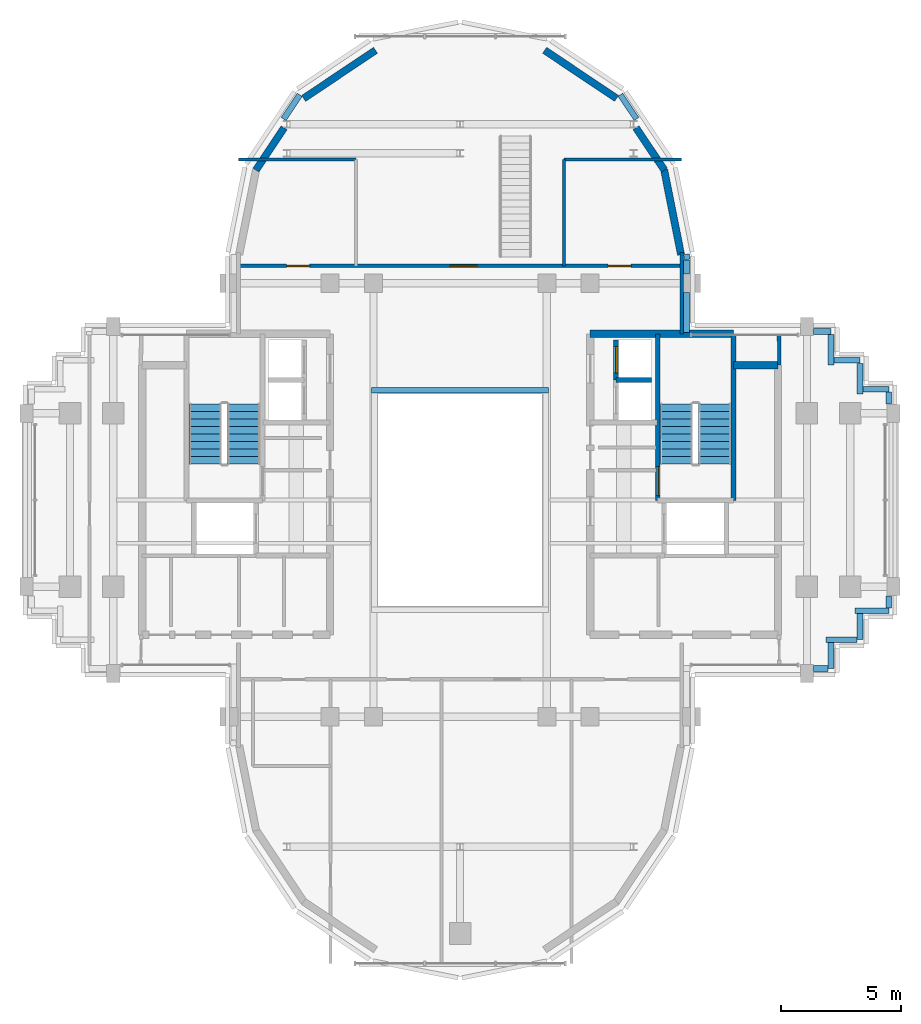
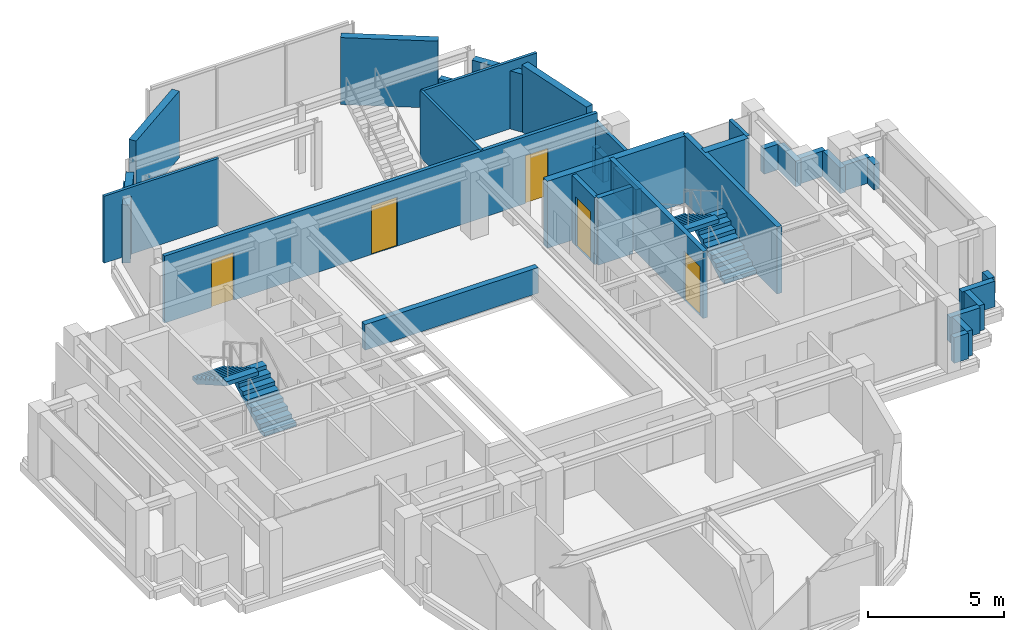
# One storey, part 10 of 13: 35 walls, 5 doors, 4 stair flights, 5 openings, 2 elements without a shape of their own.
"""IFC4 building model written with IfcOpenShell, lengths in metres."""

from ifc_helpers import new_model, si_unit, direction, frame, frame_2d, origin, place, context, subcontext, project, spatial, polyline, rectangle, outline, extrude, source, transform, mapped, material, layer, layer_set, type_object, element, fill, aggregate, save


model = new_model("IFC4")

# Units and contexts
model_context = context("Model", 3, precision=1e-05, world=origin(), true_north=direction((0.0, 1.0)))
body_context = subcontext(model_context, "Body", "Model", "MODEL_VIEW")
ifc_project = project(units=[si_unit("LENGTHUNIT", "METRE"), si_unit("AREAUNIT", "SQUARE_METRE"), si_unit("VOLUMEUNIT", "CUBIC_METRE"), si_unit("PLANEANGLEUNIT", "RADIAN"), si_unit("MASSUNIT", "GRAM", prefix="KILO")], contexts=[model_context])

# Site, building, storey
site_placement = place(None, origin())
site = spatial("IfcSite", under=ifc_project, at=site_placement, CompositionType="ELEMENT")
building_placement = place(site_placement, origin())
building = spatial("IfcBuilding", under=site, at=building_placement, Name="Keilestroom Media Tower", CompositionType="ELEMENT")
storey_placement = place(building_placement, frame((0.0, 0.0, 230.0)))
storey = spatial("IfcBuildingStorey", under=building, at=storey_placement, Name="L63", CompositionType="ELEMENT", Elevation=230.0)

# Walls
ifc_material_1 = material(Name="Precast concrete C40/50", Category="concrete")
ifc_layer_1 = layer(ifc_material_1, 0.300048828125)
ifc_layer_set_1 = layer_set([ifc_layer_1], Name="Precast concrete C40/50")
wall_type_1 = type_object("IfcWallType", Name="Exterior-Masonry-Spandrel-Wall-300", PredefinedType="SOLIDWALL", material=ifc_layer_set_1)
wall_1_placement = place(storey_placement, frame((9.1748046875, 10.185302734375, 0.0), z_axis=(0.0, 0.0, 1.0), x_axis=(-0.195114232679, 0.980780523974, 0.0)))
element("IfcWall", 1, at=wall_1_placement, inside=storey, type_object=wall_type_1, Name="L63 Lobe Facet Precast Frame Wall 01", PredefinedType="SOLIDWALL", context=body_context, shape_type="SweptSolid", body=[
    extrude(rectangle(XDim=3.608642578125, YDim=0.300048828125, at=frame_2d((1.80419921875, 0.0))), origin(), (0.0, 0.0, 1.0), 3.010009765625),
])
wall_2_placement = place(storey_placement, frame((8.48193359375, 13.697509765625, 0.0), z_axis=(0.0, 0.0, 1.0), x_axis=(-0.555604299396, 0.831446848868, 0.0)))
element("IfcWall", 2, at=wall_2_placement, inside=storey, type_object=wall_type_1, Name="L63 Lobe Facet Precast Frame Wall 02", PredefinedType="SOLIDWALL", context=body_context, shape_type="SweptSolid", body=[
    extrude(rectangle(XDim=2.117919921875, YDim=0.300048828125, at=frame_2d((1.05908203125, 0.0))), origin(), (0.0, 0.0, 1.0), 2.610107421875),
])
for number, where, z_axis, x_axis, name in (
    (3, (6.497802734375, 16.677001953125, 0.0), (0.0, 0.0, 1.0), (-0.831443568068, 0.555609208993, 0.0), "L63 Lobe Facet Precast Frame Wall 03"),
    (4, (-3.510009765625, 18.673583984375, 0.0), (0.0, 0.0, 1.0), (-0.831443568068, -0.555609208993, 0.0), "L63 Lobe Facet Precast Frame Wall 04"),
):
    element("IfcWall", number, at=place(storey_placement, frame(where, z_axis=z_axis, x_axis=x_axis)), inside=storey, type_object=wall_type_1, Name=name, PredefinedType="SOLIDWALL", context=body_context, shape_type="SweptSolid", body=[
        extrude(rectangle(XDim=3.593505859375, YDim=0.300048828125, at=frame_2d((1.796875, 0.0))), origin(), (0.0, 0.0, 1.0), 3.010009765625),
    ])
wall_3_placement = place(storey_placement, frame((-7.30517578125, 15.45849609375, 0.0), z_axis=(0.0, 0.0, 1.0), x_axis=(-0.555604299396, -0.831446848868, 0.0)))
element("IfcWall", 5, at=wall_3_placement, inside=storey, type_object=wall_type_1, Name="L63 Lobe Facet Precast Frame Wall 05", PredefinedType="SOLIDWALL", context=body_context, shape_type="SweptSolid", body=[
    extrude(rectangle(XDim=2.117919921875, YDim=0.300048828125, at=frame_2d((1.05908203125, 0.0))), origin(), (0.0, 0.0, 1.0), 2.610107421875),
])
ifc_material_2 = material(Name="Gypsum Plasterboard & Steel Stud", Category="steel")
ifc_layer_2 = layer(ifc_material_2, 0.1201171875)
ifc_layer_set_2 = layer_set([ifc_layer_2], Name="Gypsum Plasterboard & Steel Stud")
wall_type_2 = type_object("IfcWallType", Name="Interior-Partition-Wall-120", PredefinedType="PARTITIONING", material=ifc_layer_set_2)
for number, where, z_axis, x_axis, name in (
    (6, (-9.199951171875, 14.139892578125, 0.0), (0.0, 0.0, 1.0), (1.0, 0.0, 0.0), "L63 Interior Wall WP-L63-NL-HW"),
    (7, (4.320068359375, 14.139892578125, 0.0), (0.0, 0.0, 1.0), (1.0, 0.0, 0.0), "L63 Interior Wall WP-L63-NL-HE"),
):
    element("IfcWall", number, at=place(storey_placement, frame(where, z_axis=z_axis, x_axis=x_axis)), inside=storey, type_object=wall_type_2, Name=name, PredefinedType="PARTITIONING", context=body_context, shape_type="SweptSolid", body=[
        extrude(rectangle(XDim=4.8798828125, YDim=0.1201171875, at=frame_2d((2.43994140625, 0.0))), origin(), (0.0, 0.0, 1.0), 3.010009765625),
    ])
wall_4_placement = place(storey_placement, frame((4.320068359375, 9.719970703125, 0.0), z_axis=(0.0, 0.0, 1.0), x_axis=(0.0, 1.0, 0.0)))
element("IfcWall", 8, at=wall_4_placement, inside=storey, type_object=wall_type_2, Name="L63 Interior Wall WP-L63-NL-VE2", PredefinedType="PARTITIONING", context=body_context, shape_type="SweptSolid", body=[
    extrude(rectangle(XDim=4.419921875, YDim=0.1201171875, at=frame_2d((2.2099609375, 0.0))), origin(), (0.0, 0.0, 1.0), 3.010009765625),
])

# Wall, openings, doors
ifc_layer_3 = layer(ifc_material_2, 0.14990234375)
ifc_layer_set_3 = layer_set([ifc_layer_3], Name="Gypsum Plasterboard & Steel Stud")
wall_type_3 = type_object("IfcWallType", Name="Interior-Partition-Wall-150", PredefinedType="PARTITIONING", material=ifc_layer_set_3)
wall_5_placement = place(storey_placement, frame((-9.199951171875, 9.719970703125, 0.0), z_axis=(0.0, 0.0, 1.0), x_axis=(1.0, 0.0, 0.0)))
wall_5 = element("IfcWall", 9, at=wall_5_placement, inside=storey, type_object=wall_type_3, Name="L63 Interior Wall WP-L63-NL-BASE", PredefinedType="PARTITIONING", context=body_context, shape_type="SweptSolid", body=[
    extrude(rectangle(XDim=18.39990234375, YDim=0.14990234375, at=frame_2d((9.199951171875, 0.0))), origin(), (0.0, 0.0, 1.0), 3.010009765625),
])
opening_1_placement = place(wall_5_placement, frame((2.0, 0.0, 0.0)))
opening_1 = element("IfcOpeningElement", 10, at=opening_1_placement, cuts=wall_5, Name="Opening DI-03", PredefinedType="OPENING", context=body_context, shape_type="SweptSolid", body=[
    extrude(rectangle(XDim=0.949951171875, YDim=2.14990234375, at=frame_2d((0.47509765625, 1.074951171875))), frame((0.0, 0.0849609375, 0.0), z_axis=(0.0, -1.0, 0.0), x_axis=(1.0, 0.0, 0.0)), (0.0, 0.0, 1.0), 0.169921875),
])
opening_2_placement = place(wall_5_placement, frame((15.35009765625, 0.0, 0.0)))
opening_2 = element("IfcOpeningElement", 11, at=opening_2_placement, cuts=wall_5, Name="Opening DI-03", PredefinedType="OPENING", context=body_context, shape_type="SweptSolid", body=[
    extrude(rectangle(XDim=0.949951171875, YDim=2.14990234375, at=frame_2d((0.47509765625, 1.074951171875))), frame((0.0, 0.0849609375, 0.0), z_axis=(0.0, -1.0, 0.0), x_axis=(1.0, 0.0, 0.0)), (0.0, 0.0, 1.0), 0.169921875),
])
opening_3_placement = place(wall_5_placement, frame((8.800048828125, 0.0, 0.0)))
opening_3 = element("IfcOpeningElement", 12, at=opening_3_placement, cuts=wall_5, Name="Opening DI-04", PredefinedType="OPENING", context=body_context, shape_type="SweptSolid", body=[
    extrude(rectangle(XDim=1.10009765625, YDim=2.199951171875, at=frame_2d((0.550048828125, 1.10009765625))), frame((0.0, 0.0849609375, 0.0), z_axis=(0.0, -1.0, 0.0), x_axis=(1.0, 0.0, 0.0)), (0.0, 0.0, 1.0), 0.169921875),
])
ifc_material_3 = material(Name="Lacquered European Oak Leaf", Category="wood")
door_type_1 = type_object("IfcDoorType", Name="Interior-Room-And-Suite-Door-DI-03", OperationType="NOTDEFINED", PredefinedType="DOOR", material=ifc_material_3)
shared_shape_1 = source(origin(), body_context, "Body", "SweptSolid", [
    extrude(rectangle(XDim=0.949951171875, YDim=2.14990234375, at=frame_2d((0.47509765625, 1.074951171875))), frame((0.0, 0.02490234375, 0.0), z_axis=(0.0, -1.0, 0.0), x_axis=(1.0, 0.0, 0.0)), (0.0, 0.0, 1.0), 0.050048828125),
])
door_1_placement = place(opening_1_placement, origin())
door_1 = element("IfcDoor", 13, at=door_1_placement, inside=storey, type_object=door_type_1, Name="L63 Interior Door DI-L63-DNL-FRW", OperationType="SINGLE_SWING_RIGHT", OverallHeight=2.14990234375, OverallWidth=0.949951171875, PredefinedType="DOOR", context=body_context, shape_type="MappedRepresentation", body=[
    mapped(shared_shape_1, transform((0.0, 0.0, 0.0), x_axis=(1.0, 0.0, 0.0), y_axis=(0.0, 1.0, 0.0), z_axis=(0.0, 0.0, 1.0), scale=1.0)),
])
fill(opening_1, door_1)
door_2_placement = place(opening_2_placement, origin())
door_2 = element("IfcDoor", 14, at=door_2_placement, inside=storey, type_object=door_type_1, Name="L63 Interior Door DI-L63-DNL-FRE", OperationType="SINGLE_SWING_LEFT", OverallHeight=2.14990234375, OverallWidth=0.949951171875, PredefinedType="DOOR", context=body_context, shape_type="MappedRepresentation", body=[
    mapped(shared_shape_1, transform((0.0, 0.0, 0.0), x_axis=(1.0, 0.0, 0.0), y_axis=(0.0, 1.0, 0.0), z_axis=(0.0, 0.0, 1.0), scale=1.0)),
])
fill(opening_2, door_2)
ifc_material_4 = material(Name="Acoustic Glazed Aluminium Leaf", Category="aluminium")
door_type_2 = type_object("IfcDoorType", Name="Interior-Room-And-Suite-Door-DI-04", OperationType="NOTDEFINED", PredefinedType="DOOR", material=ifc_material_4)
shared_shape_2 = source(origin(), body_context, "Body", "SweptSolid", [
    extrude(rectangle(XDim=1.10009765625, YDim=2.199951171875, at=frame_2d((0.550048828125, 1.10009765625))), frame((0.0, 0.02490234375, 0.0), z_axis=(0.0, -1.0, 0.0), x_axis=(1.0, 0.0, 0.0)), (0.0, 0.0, 1.0), 0.050048828125),
])
door_3_placement = place(opening_3_placement, origin())
door_3 = element("IfcDoor", 15, at=door_3_placement, inside=storey, type_object=door_type_2, Name="L63 Interior Door DI-L63-DNL-REAR", OperationType="SINGLE_SWING_RIGHT", OverallHeight=2.199951171875, OverallWidth=1.10009765625, PredefinedType="DOOR", context=body_context, shape_type="MappedRepresentation", body=[
    mapped(shared_shape_2, transform((0.0, 0.0, 0.0), x_axis=(1.0, 0.0, 0.0), y_axis=(0.0, 1.0, 0.0), z_axis=(0.0, 0.0, 1.0), scale=1.0)),
])
fill(opening_3, door_3)

# Walls
wall_6_placement = place(storey_placement, frame((9.199951171875, 6.89990234375, 0.0), z_axis=(0.0, 0.0, 1.0), x_axis=(0.0, 1.0, 0.0)))
element("IfcWall", 16, at=wall_6_placement, inside=storey, type_object=wall_type_3, Name="L63 Interior Wall WP-L63-NL-CHKE", PredefinedType="PARTITIONING", context=body_context, shape_type="SweptSolid", body=[
    extrude(rectangle(XDim=3.380126953125, YDim=0.14990234375, at=frame_2d((1.68994140625, 0.0))), origin(), (0.0, 0.0, 1.0), 2.610107421875),
])
wall_7_placement = place(storey_placement, frame((13.260009765625, 5.60009765625, 0.0), z_axis=(0.0, 0.0, 1.0), x_axis=(-0.016013571389, 0.999871774545, 0.0)))
element("IfcWall", 17, at=wall_7_placement, inside=storey, type_object=wall_type_3, Name="L63 Interior Wall WP-L63-EA-ENTN", PredefinedType="PARTITIONING", context=body_context, shape_type="SweptSolid", body=[
    extrude(rectangle(XDim=1.250244140625, YDim=0.14990234375, at=frame_2d((0.625, 0.0))), origin(), (0.0, 0.0, 1.0), 3.010009765625),
])
ifc_material_5 = material(Name="Concrete C50/60", Category="concrete")
ifc_layer_4 = layer(ifc_material_5, 0.300048828125)
ifc_layer_set_4 = layer_set([ifc_layer_4], Name="Concrete C50/60")
wall_type_4 = type_object("IfcWallType", Name="Reinforced-Concrete-Core-Shear-Wall-300", PredefinedType="SHEAR", material=ifc_layer_set_4)
wall_8_placement = place(storey_placement, frame((5.39990234375, 6.89990234375, 0.0), z_axis=(0.0, 0.0, 1.0), x_axis=(1.0, 0.0, 0.0)))
element("IfcWall", 18, at=wall_8_placement, inside=storey, type_object=wall_type_4, Name="L63 Core Shear Wall WL-L63-CORE-E-N", PredefinedType="SHEAR", context=body_context, shape_type="SweptSolid", body=[
    extrude(rectangle(XDim=5.9560546875, YDim=0.300048828125, at=frame_2d((2.97802734375, 0.0))), origin(), (0.0, 0.0, 1.0), 3.010009765625),
])
wall_9_placement = place(storey_placement, frame((11.35595703125, 5.60009765625, 0.0), z_axis=(0.0, 0.0, 1.0), x_axis=(1.0, 0.0, 0.0)))
element("IfcWall", 19, at=wall_9_placement, inside=storey, type_object=wall_type_4, Name="L63 Core Shear Wall WL-L63-CNE-N", PredefinedType="SHEAR", context=body_context, shape_type="SweptSolid", body=[
    extrude(rectangle(XDim=1.843994140625, YDim=0.300048828125, at=frame_2d((0.921875, 0.0))), origin(), (0.0, 0.0, 1.0), 3.010009765625),
])

# Wall, opening, door
ifc_layer_5 = layer(ifc_material_5, 0.199951171875)
ifc_layer_set_5 = layer_set([ifc_layer_5], Name="Concrete C50/60")
wall_type_5 = type_object("IfcWallType", Name="Reinforced-Concrete-Shaft-Wall-200", PredefinedType="SOLIDWALL", material=ifc_layer_set_5)
wall_10_placement = place(storey_placement, frame((8.2041015625, -0.01611328125, 0.0), z_axis=(0.0, 0.0, 1.0), x_axis=(0.0, 1.0, 0.0)))
wall_10 = element("IfcWall", 20, at=wall_10_placement, inside=storey, type_object=wall_type_5, Name="L63 Core Shear Wall WL-L63-STW-E-NEAR", PredefinedType="SOLIDWALL", context=body_context, shape_type="SweptSolid", body=[
    extrude(rectangle(XDim=6.916015625, YDim=0.199951171875, at=frame_2d((3.4580078125, 0.0))), origin(), (0.0, 0.0, 1.0), 3.010009765625),
])
opening_4_placement = place(wall_10_placement, frame((0.199951171875, 0.0, 0.0)))
opening_4 = element("IfcOpeningElement", 21, at=opening_4_placement, cuts=wall_10, Name="Opening DI-01S", PredefinedType="OPENING", context=body_context, shape_type="SweptSolid", body=[
    extrude(rectangle(XDim=1.199951171875, YDim=2.199951171875, at=frame_2d((0.60009765625, 1.10009765625))), frame((0.0, 0.10986328125, 0.0), z_axis=(0.0, -1.0, 0.0), x_axis=(1.0, 0.0, 0.0)), (0.0, 0.0, 1.0), 0.219970703125),
])
ifc_material_6 = material(Name="Powder-Coated Steel Fire Leaf", Category="steel")
door_type_3 = type_object("IfcDoorType", Name="Interior-Stair-And-Core-Fire-Door-DI-01", OperationType="NOTDEFINED", PredefinedType="DOOR", material=ifc_material_6)
shared_shape_3 = source(origin(), body_context, "Body", "SweptSolid", [
    extrude(rectangle(XDim=1.199951171875, YDim=2.199951171875, at=frame_2d((0.60009765625, 1.10009765625))), frame((0.0, 0.02490234375, 0.0), z_axis=(0.0, -1.0, 0.0), x_axis=(1.0, 0.0, 0.0)), (0.0, 0.0, 1.0), 0.050048828125),
])
door_4_placement = place(opening_4_placement, origin())
door_4 = element("IfcDoor", 22, at=door_4_placement, inside=storey, type_object=door_type_3, Name="L63 Escape Stair ST-2 Fire Door", OperationType="SINGLE_SWING_RIGHT", OverallHeight=2.199951171875, OverallWidth=1.199951171875, PredefinedType="DOOR", context=body_context, shape_type="MappedRepresentation", body=[
    mapped(shared_shape_3, transform((0.0, 0.0, 0.0), x_axis=(1.0, 0.0, 0.0), y_axis=(0.0, 1.0, 0.0), z_axis=(0.0, 0.0, 1.0), scale=1.0)),
])
fill(opening_4, door_4)

# Walls
wall_11_placement = place(storey_placement, frame((11.35595703125, -0.01611328125, 0.0), z_axis=(0.0, 0.0, 1.0), x_axis=(0.0, 1.0, 0.0)))
element("IfcWall", 23, at=wall_11_placement, inside=storey, type_object=wall_type_5, Name="L63 Core Shear Wall WL-L63-STW-E-FAR", PredefinedType="SOLIDWALL", context=body_context, shape_type="SweptSolid", body=[
    extrude(rectangle(XDim=6.916015625, YDim=0.199951171875, at=frame_2d((3.4580078125, 0.0))), origin(), (0.0, 0.0, 1.0), 3.010009765625),
])
wall_12_placement = place(storey_placement, frame((6.47998046875, 4.97998046875, 0.0), z_axis=(0.0, 0.0, 1.0), x_axis=(1.0, 0.0, 0.0)))
element("IfcWall", 24, at=wall_12_placement, inside=storey, type_object=wall_type_5, Name="L63 Core Shear Wall WL-L63-LSH-PL-H3-N", PredefinedType="SOLIDWALL", context=body_context, shape_type="SweptSolid", body=[
    extrude(rectangle(XDim=1.469970703125, YDim=0.199951171875, at=frame_2d((0.73486328125, 0.0))), origin(), (0.0, 0.0, 1.0), 3.010009765625),
])

# Wall, opening, door
wall_13_placement = place(storey_placement, frame((6.47998046875, 4.97998046875, 0.0), z_axis=(0.0, 0.0, 1.0), x_axis=(0.0, 1.0, 0.0)))
wall_13 = element("IfcWall", 25, at=wall_13_placement, inside=storey, type_object=wall_type_5, Name="L63 Core Shear Wall WL-L63-LSH-PL-H4-W", PredefinedType="SOLIDWALL", context=body_context, shape_type="SweptSolid", body=[
    extrude(rectangle(XDim=1.669921875, YDim=0.199951171875, at=frame_2d((0.8349609375, 0.0))), origin(), (0.0, 0.0, 1.0), 3.010009765625),
])
opening_5_placement = place(wall_13_placement, frame((0.284912109375, 0.0, 0.0)))
opening_5 = element("IfcOpeningElement", 26, at=opening_5_placement, cuts=wall_13, Name="Opening LD-01", PredefinedType="OPENING", context=body_context, shape_type="SweptSolid", body=[
    extrude(rectangle(XDim=1.10009765625, YDim=2.199951171875, at=frame_2d((0.550048828125, 1.10009765625))), frame((0.0, 0.10986328125, 0.0), z_axis=(0.0, -1.0, 0.0), x_axis=(1.0, 0.0, 0.0)), (0.0, 0.0, 1.0), 0.219970703125),
])
ifc_material_7 = material(Name="Brushed Stainless Steel Sliding Leaf", Category="steel")
door_type_4 = type_object("IfcDoorType", Name="Lift-Landing-Sliding-Door-LD-01", OperationType="SLIDING_TO_LEFT", PredefinedType="DOOR", material=ifc_material_7)
door_5_placement = place(opening_5_placement, origin())
door_5 = element("IfcDoor", 27, at=door_5_placement, inside=storey, type_object=door_type_4, Name="L63 Lift PL-H4 Landing Sliding Door", OperationType="SLIDING_TO_LEFT", OverallHeight=2.199951171875, OverallWidth=1.10009765625, PredefinedType="DOOR", context=body_context, shape_type="MappedRepresentation", body=[
    mapped(shared_shape_2, transform((0.0, 0.0, 0.0), x_axis=(1.0, 0.0, 0.0), y_axis=(0.0, 1.0, 0.0), z_axis=(0.0, 0.0, 1.0), scale=1.0)),
])
fill(opening_5, door_5)

# Walls
ifc_layer_6 = layer(ifc_material_1, 0.239990234375)
ifc_layer_set_6 = layer_set([ifc_layer_6], Name="Precast concrete C40/50")
wall_type_6 = type_object("IfcWallType", Name="Roof-And-Terrace-Parapet-Wall-240", PredefinedType="PARAPET", material=ifc_layer_set_6)
wall_14_placement = place(storey_placement, frame((17.800048828125, -4.60009765625, 0.0), z_axis=(0.0, 0.0, 1.0), x_axis=(-1.0, 0.0, 0.0)))
element("IfcWall", 28, at=wall_14_placement, inside=storey, type_object=wall_type_6, Name="L63 Perimeter Edge Parapet Wall 01", PredefinedType="PARAPET", context=body_context, shape_type="SweptSolid", body=[
    extrude(rectangle(XDim=1.400146484375, YDim=0.239990234375, at=frame_2d((0.7001953125, 0.0))), origin(), (0.0, 0.0, 1.0), 1.14990234375),
])
wall_15_placement = place(storey_placement, frame((16.60009765625, -4.722900390625, 0.0), z_axis=(0.0, 0.0, 1.0), x_axis=(0.0, -1.0, 0.0)))
element("IfcWall", 29, at=wall_15_placement, inside=storey, type_object=wall_type_6, Name="L63 Perimeter Edge Parapet Wall 02", PredefinedType="PARAPET", context=body_context, shape_type="SweptSolid", body=[
    extrude(rectangle(XDim=1.0771484375, YDim=0.239990234375, at=frame_2d((0.53857421875, 0.0))), origin(), (0.0, 0.0, 1.0), 1.14990234375),
])
wall_16_placement = place(storey_placement, frame((16.47705078125, -5.800048828125, 0.0), z_axis=(0.0, 0.0, 1.0), x_axis=(-1.0, 0.0, 0.0)))
element("IfcWall", 30, at=wall_16_placement, inside=storey, type_object=wall_type_6, Name="L63 Perimeter Edge Parapet Wall 03", PredefinedType="PARAPET", context=body_context, shape_type="SweptSolid", body=[
    extrude(rectangle(XDim=1.277099609375, YDim=0.239990234375, at=frame_2d((0.638671875, 0.0))), origin(), (0.0, 0.0, 1.0), 1.14990234375),
])
wall_17_placement = place(storey_placement, frame((15.39990234375, -5.923095703125, 0.0), z_axis=(0.0, 0.0, 1.0), x_axis=(0.0, -1.0, 0.0)))
element("IfcWall", 31, at=wall_17_placement, inside=storey, type_object=wall_type_6, Name="L63 Perimeter Edge Parapet Wall 04", PredefinedType="PARAPET", context=body_context, shape_type="SweptSolid", body=[
    extrude(rectangle(XDim=1.076904296875, YDim=0.239990234375, at=frame_2d((0.53857421875, 0.0))), origin(), (0.0, 0.0, 1.0), 1.14990234375),
])
wall_18_placement = place(storey_placement, frame((15.277099609375, -7.0, 0.0), z_axis=(0.0, 0.0, 1.0), x_axis=(-1.0, 0.0, 0.0)))
element("IfcWall", 32, at=wall_18_placement, inside=storey, type_object=wall_type_6, Name="L63 Perimeter Edge Parapet Wall 05", PredefinedType="PARAPET", context=body_context, shape_type="SweptSolid", body=[
    extrude(rectangle(XDim=0.59912109375, YDim=0.239990234375, at=frame_2d((0.299560546875, 0.0))), origin(), (0.0, 0.0, 1.0), 1.14990234375),
])
for number, where, z_axis, x_axis, name in (
    (33, (-7.328125, 15.8203125, 0.0), (0.0, 0.0, 1.0), (0.555585388542, 0.831459485506, 0.0), "L63 Perimeter Edge Parapet Wall 27"),
    (34, (6.656494140625, 16.825439453125, 0.0), (0.0, 0.0, 1.0), (0.555585388542, -0.831459485506, 0.0), "L63 Perimeter Edge Parapet Wall 28"),
):
    element("IfcWall", number, at=place(storey_placement, frame(where, z_axis=z_axis, x_axis=x_axis)), inside=storey, type_object=wall_type_6, Name=name, PredefinedType="PARAPET", context=body_context, shape_type="SweptSolid", body=[
        extrude(rectangle(XDim=1.208984375, YDim=0.239990234375, at=frame_2d((0.6044921875, 0.0))), origin(), (0.0, 0.0, 1.0), 1.14990234375),
    ])
wall_19_placement = place(storey_placement, frame((9.395263671875, 10.2041015625, 0.0), z_axis=(0.0, 0.0, 1.0), x_axis=(0.194859894132, -0.980831087221, 0.0)))
element("IfcWall", 35, at=wall_19_placement, inside=storey, type_object=wall_type_6, Name="L63 Perimeter Edge Parapet Wall 29", PredefinedType="PARAPET", context=body_context, shape_type="SweptSolid", body=[
    extrude(rectangle(XDim=0.224365234375, YDim=0.239990234375, at=frame_2d((0.1123046875, 0.0))), origin(), (0.0, 0.0, 1.0), 1.14990234375),
])
wall_20_placement = place(storey_placement, frame((9.39990234375, 9.957763671875, 0.0), z_axis=(0.0, 0.0, 1.0), x_axis=(0.0, -1.0, 0.0)))
element("IfcWall", 36, at=wall_20_placement, inside=storey, type_object=wall_type_6, Name="L63 Perimeter Edge Parapet Wall 30", PredefinedType="PARAPET", context=body_context, shape_type="SweptSolid", body=[
    extrude(rectangle(XDim=0.579833984375, YDim=0.239990234375, at=frame_2d((0.2900390625, 0.0))), origin(), (0.0, 0.0, 1.0), 1.14990234375),
])
wall_21_placement = place(storey_placement, frame((9.39990234375, 8.6220703125, 0.0), z_axis=(0.0, 0.0, 1.0), x_axis=(0.0, -1.0, 0.0)))
element("IfcWall", 37, at=wall_21_placement, inside=storey, type_object=wall_type_6, Name="L63 Perimeter Edge Parapet Wall 31", PredefinedType="PARAPET", context=body_context, shape_type="SweptSolid", body=[
    extrude(rectangle(XDim=1.669189453125, YDim=0.239990234375, at=frame_2d((0.83447265625, 0.0))), origin(), (0.0, 0.0, 1.0), 1.14990234375),
])
wall_22_placement = place(storey_placement, frame((14.677978515625, 7.0, 0.0), z_axis=(0.0, 0.0, 1.0), x_axis=(1.0, 0.0, 0.0)))
element("IfcWall", 38, at=wall_22_placement, inside=storey, type_object=wall_type_6, Name="L63 Perimeter Edge Parapet Wall 32", PredefinedType="PARAPET", context=body_context, shape_type="SweptSolid", body=[
    extrude(rectangle(XDim=0.721923828125, YDim=0.239990234375, at=frame_2d((0.36083984375, 0.0))), origin(), (0.0, 0.0, 1.0), 1.14990234375),
])
wall_23_placement = place(storey_placement, frame((15.39990234375, 6.876953125, 0.0), z_axis=(0.0, 0.0, 1.0), x_axis=(0.0, -1.0, 0.0)))
element("IfcWall", 39, at=wall_23_placement, inside=storey, type_object=wall_type_6, Name="L63 Perimeter Edge Parapet Wall 33", PredefinedType="PARAPET", context=body_context, shape_type="SweptSolid", body=[
    extrude(rectangle(XDim=1.27685546875, YDim=0.239990234375, at=frame_2d((0.638427734375, 0.0))), origin(), (0.0, 0.0, 1.0), 1.14990234375),
])
wall_24_placement = place(storey_placement, frame((15.52294921875, 5.800048828125, 0.0), z_axis=(0.0, 0.0, 1.0), x_axis=(1.0, 0.0, 0.0)))
element("IfcWall", 40, at=wall_24_placement, inside=storey, type_object=wall_type_6, Name="L63 Perimeter Edge Parapet Wall 34", PredefinedType="PARAPET", context=body_context, shape_type="SweptSolid", body=[
    extrude(rectangle(XDim=1.0771484375, YDim=0.239990234375, at=frame_2d((0.53857421875, 0.0))), origin(), (0.0, 0.0, 1.0), 1.14990234375),
])
wall_25_placement = place(storey_placement, frame((16.60009765625, 5.677001953125, 0.0), z_axis=(0.0, 0.0, 1.0), x_axis=(0.0, -1.0, 0.0)))
element("IfcWall", 41, at=wall_25_placement, inside=storey, type_object=wall_type_6, Name="L63 Perimeter Edge Parapet Wall 35", PredefinedType="PARAPET", context=body_context, shape_type="SweptSolid", body=[
    extrude(rectangle(XDim=1.277099609375, YDim=0.239990234375, at=frame_2d((0.638671875, 0.0))), origin(), (0.0, 0.0, 1.0), 1.14990234375),
])
wall_26_placement = place(storey_placement, frame((16.722900390625, 4.60009765625, 0.0), z_axis=(0.0, 0.0, 1.0), x_axis=(1.0, 0.0, 0.0)))
element("IfcWall", 42, at=wall_26_placement, inside=storey, type_object=wall_type_6, Name="L63 Perimeter Edge Parapet Wall 36", PredefinedType="PARAPET", context=body_context, shape_type="SweptSolid", body=[
    extrude(rectangle(XDim=1.0771484375, YDim=0.239990234375, at=frame_2d((0.53857421875, 0.0))), origin(), (0.0, 0.0, 1.0), 1.14990234375),
])
for number, where, z_axis, x_axis, name in (
    (43, (17.800048828125, 4.47705078125, 0.0), (0.0, 0.0, 1.0), (0.0, -1.0, 0.0), "L63 Perimeter Edge Parapet Wall 37"),
    (44, (17.800048828125, -3.97802734375, 0.0), (0.0, 0.0, 1.0), (0.0, -1.0, 0.0), "L63 Perimeter Edge Parapet Wall 38"),
):
    element("IfcWall", number, at=place(storey_placement, frame(where, z_axis=z_axis, x_axis=x_axis)), inside=storey, type_object=wall_type_6, Name=name, PredefinedType="PARAPET", context=body_context, shape_type="SweptSolid", body=[
        extrude(rectangle(XDim=0.4990234375, YDim=0.239990234375, at=frame_2d((0.24951171875, 0.0))), origin(), (0.0, 0.0, 1.0), 1.14990234375),
    ])
wall_27_placement = place(storey_placement, frame((-3.679931640625, 4.56005859375, 0.0), z_axis=(0.0, 0.0, 1.0), x_axis=(1.0, 0.0, 0.0)))
element("IfcWall", 45, at=wall_27_placement, inside=storey, type_object=wall_type_6, Name="L63 Central Atrium Guard Parapet N", PredefinedType="PARAPET", context=body_context, shape_type="SweptSolid", body=[
    extrude(rectangle(XDim=7.35986328125, YDim=0.239990234375, at=frame_2d((3.679931640625, 0.0))), origin(), (0.0, 0.0, 1.0), 1.14990234375),
])

# Stair, stair flights
ifc_material_8 = material(Name="Concrete C45/55", Category="concrete")
stair_type = type_object("IfcStairType", Name="Enclosed-Dog-Leg-Stair-ST-CORE", PredefinedType="HALF_TURN_STAIR", material=ifc_material_8)
stair_1_placement = place(storey_placement, origin())
stair_1 = element("IfcStair", 46, at=stair_1_placement, inside=storey, type_object=stair_type, Name="L63 West Core Escape Stair ST-1", PredefinedType="HALF_TURN_STAIR")
stair_flight_type = type_object("IfcStairFlightType", Name="Precast-Concrete-Stair-Flight-Core-160", PredefinedType="STRAIGHT", material=ifc_material_1)
stair_flight_1_placement = place(storey_placement, frame((-8.97998046875, 1.5, 0.0), z_axis=(0.0, 0.0, 1.0), x_axis=(0.0, 1.0, 0.0)))
stair_flight_1 = element("IfcStairFlight", 47, at=stair_flight_1_placement, type_object=stair_flight_type, Name="ST-1 flight 1", NumberOfRisers=9, NumberOfTreads=8, PredefinedType="STRAIGHT", RiserHeight=0.177777778, TreadLength=0.312, context=body_context, shape_type="SweptSolid", body=[
    extrude(outline(polyline([(0.0, 0.0), (0.0, 0.177734375), (0.31201171875, 0.177734375), (0.31201171875, 0.35546875), (0.6240234375, 0.35546875), (0.6240234375, 0.533447265625), (0.93603515625, 0.533447265625), (0.93603515625, 0.711181640625), (1.248046875, 0.711181640625), (1.248046875, 0.888916015625), (1.56005859375, 0.888916015625), (1.56005859375, 1.066650390625), (1.8720703125, 1.066650390625), (1.8720703125, 1.244384765625), (2.18408203125, 1.244384765625), (2.18408203125, 1.422119140625), (2.49609375, 1.422119140625), (2.49609375, 1.60009765625), (2.49609375, 1.23828125), (0.322998046875, 0.0), (0.0, 0.0)])), frame((0.0, 0.68017578125, 0.0), z_axis=(0.0, -1.0, 0.0), x_axis=(1.0, 0.0, 0.0)), (0.0, 0.0, 1.0), 1.360107421875),
])
stair_flight_2_placement = place(storey_placement, frame((-10.580078125, 3.99609375, 1.60009765625), z_axis=(0.0, 0.0, 1.0), x_axis=(0.0, -1.0, 0.0)))
stair_flight_2 = element("IfcStairFlight", 48, at=stair_flight_2_placement, type_object=stair_flight_type, Name="ST-1 flight 2", NumberOfRisers=9, NumberOfTreads=8, PredefinedType="STRAIGHT", RiserHeight=0.177777778, TreadLength=0.312, context=body_context, shape_type="SweptSolid", body=[
    extrude(outline(polyline([(0.0, 0.0), (0.0, 0.177734375), (0.31201171875, 0.177734375), (0.31201171875, 0.35546875), (0.6240234375, 0.35546875), (0.6240234375, 0.533447265625), (0.93603515625, 0.533447265625), (0.93603515625, 0.711181640625), (1.248046875, 0.711181640625), (1.248046875, 0.888916015625), (1.56005859375, 0.888916015625), (1.56005859375, 1.066650390625), (1.8720703125, 1.066650390625), (1.8720703125, 1.244384765625), (2.18408203125, 1.244384765625), (2.18408203125, 1.422119140625), (2.49609375, 1.422119140625), (2.49609375, 1.60009765625), (2.49609375, 1.23828125), (0.322998046875, 0.0), (0.0, 0.0)])), frame((0.0, 0.68017578125, 0.0), z_axis=(0.0, -1.0, 0.0), x_axis=(1.0, 0.0, 0.0)), (0.0, 0.0, 1.0), 1.360107421875),
])
aggregate(stair_1, [stair_flight_1, stair_flight_2])

stair_2_placement = place(storey_placement, origin())
stair_2 = element("IfcStair", 49, at=stair_2_placement, inside=storey, type_object=stair_type, Name="L63 East Core Escape Stair ST-2", PredefinedType="HALF_TURN_STAIR")
stair_flight_3_placement = place(storey_placement, frame((10.580078125, 1.5, 0.0), z_axis=(0.0, 0.0, 1.0), x_axis=(0.0, 1.0, 0.0)))
stair_flight_3 = element("IfcStairFlight", 50, at=stair_flight_3_placement, type_object=stair_flight_type, Name="ST-2 flight 1", NumberOfRisers=9, NumberOfTreads=8, PredefinedType="STRAIGHT", RiserHeight=0.177777778, TreadLength=0.312, context=body_context, shape_type="SweptSolid", body=[
    extrude(outline(polyline([(0.0, 0.0), (0.0, 0.177734375), (0.31201171875, 0.177734375), (0.31201171875, 0.35546875), (0.6240234375, 0.35546875), (0.6240234375, 0.533447265625), (0.93603515625, 0.533447265625), (0.93603515625, 0.711181640625), (1.248046875, 0.711181640625), (1.248046875, 0.888916015625), (1.56005859375, 0.888916015625), (1.56005859375, 1.066650390625), (1.8720703125, 1.066650390625), (1.8720703125, 1.244384765625), (2.18408203125, 1.244384765625), (2.18408203125, 1.422119140625), (2.49609375, 1.422119140625), (2.49609375, 1.60009765625), (2.49609375, 1.23828125), (0.322998046875, 0.0), (0.0, 0.0)])), frame((0.0, 0.68017578125, 0.0), z_axis=(0.0, -1.0, 0.0), x_axis=(1.0, 0.0, 0.0)), (0.0, 0.0, 1.0), 1.360107421875),
])
stair_flight_4_placement = place(storey_placement, frame((8.97998046875, 3.99609375, 1.60009765625), z_axis=(0.0, 0.0, 1.0), x_axis=(0.0, -1.0, 0.0)))
stair_flight_4 = element("IfcStairFlight", 51, at=stair_flight_4_placement, type_object=stair_flight_type, Name="ST-2 flight 2", NumberOfRisers=9, NumberOfTreads=8, PredefinedType="STRAIGHT", RiserHeight=0.177777778, TreadLength=0.312, context=body_context, shape_type="SweptSolid", body=[
    extrude(outline(polyline([(0.0, 0.0), (0.0, 0.177734375), (0.31201171875, 0.177734375), (0.31201171875, 0.35546875), (0.6240234375, 0.35546875), (0.6240234375, 0.533447265625), (0.93603515625, 0.533447265625), (0.93603515625, 0.711181640625), (1.248046875, 0.711181640625), (1.248046875, 0.888916015625), (1.56005859375, 0.888916015625), (1.56005859375, 1.066650390625), (1.8720703125, 1.066650390625), (1.8720703125, 1.244384765625), (2.18408203125, 1.244384765625), (2.18408203125, 1.422119140625), (2.49609375, 1.422119140625), (2.49609375, 1.60009765625), (2.49609375, 1.23828125), (0.322998046875, 0.0), (0.0, 0.0)])), frame((0.0, 0.68017578125, 0.0), z_axis=(0.0, -1.0, 0.0), x_axis=(1.0, 0.0, 0.0)), (0.0, 0.0, 1.0), 1.360107421875),
])
aggregate(stair_2, [stair_flight_3, stair_flight_4])

save(model, "model.ifc")
